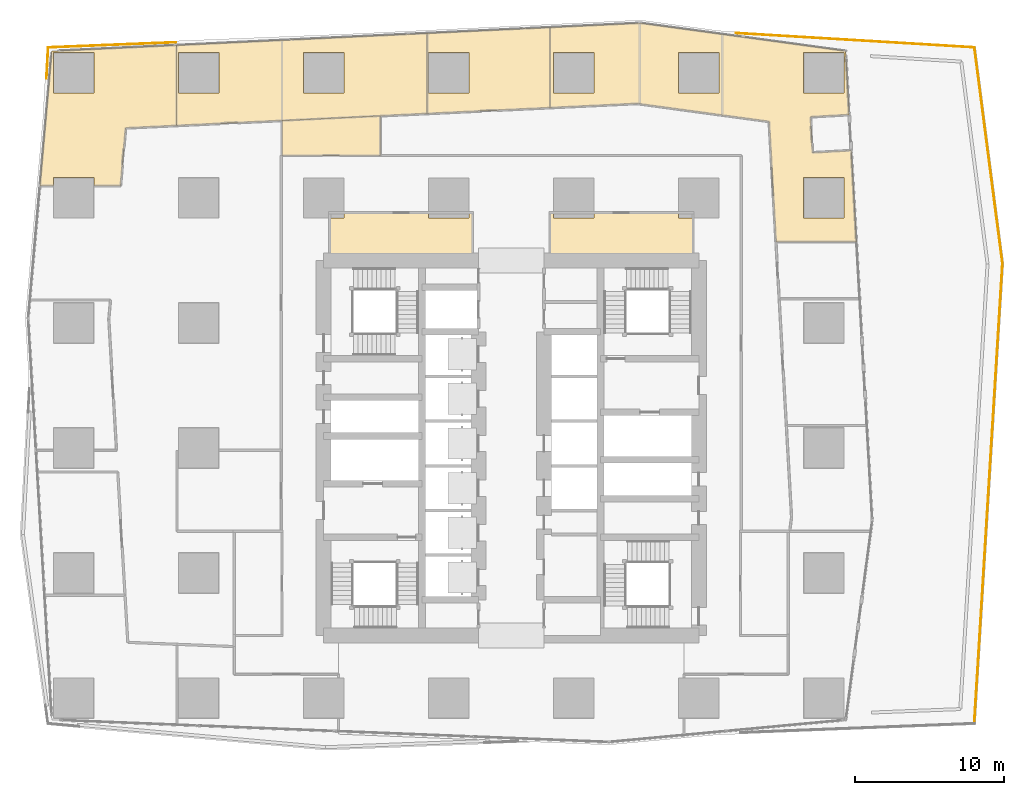
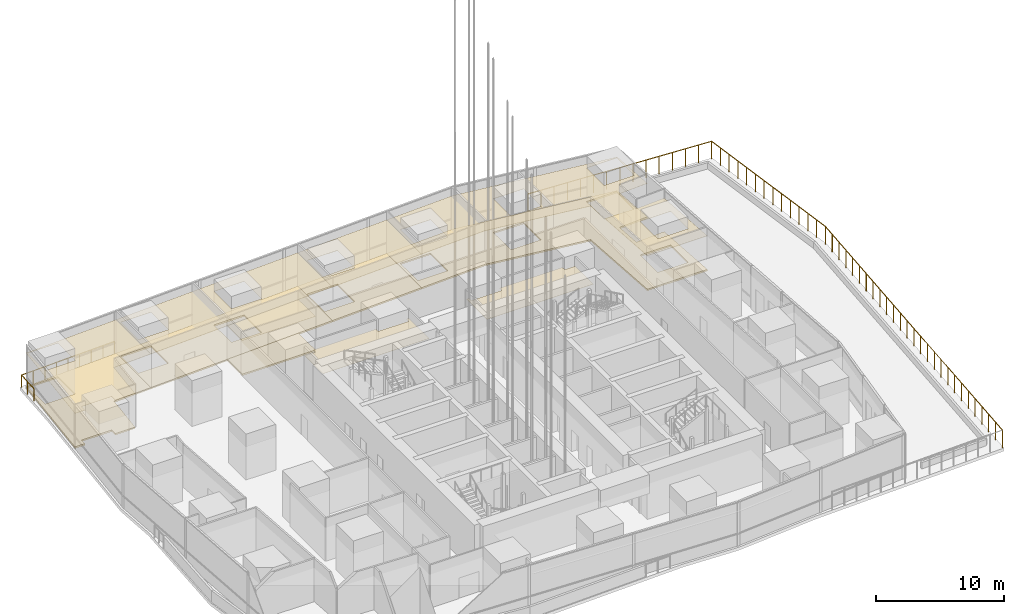
# One storey, part 26 of 39: 12 coverings, 5 railings.
"""IFC4 building model written with IfcOpenShell, lengths in metres."""

from ifc_helpers import new_model, si_unit, direction, frame, origin, origin_2d, place, context, subcontext, project, spatial, polyline, circle, outline, extrude, material, layer, layer_set, type_object, element, save


model = new_model("IFC4")

# Units and contexts
model_context = context("Model", 3, precision=1e-05, world=origin(), true_north=direction((0.0, 1.0)))
body_context = subcontext(model_context, "Body", "Model", "MODEL_VIEW")
ifc_project = project(units=[si_unit("LENGTHUNIT", "METRE"), si_unit("AREAUNIT", "SQUARE_METRE"), si_unit("VOLUMEUNIT", "CUBIC_METRE"), si_unit("PLANEANGLEUNIT", "RADIAN"), si_unit("MASSUNIT", "GRAM", prefix="KILO")], contexts=[model_context])

# Site, building, storey
site_placement = place(None, origin())
site = spatial("IfcSite", under=ifc_project, at=site_placement, CompositionType="ELEMENT")
building_placement = place(site_placement, origin())
building = spatial("IfcBuilding", under=site, at=building_placement, Name="Rekha Terrace Tower", CompositionType="ELEMENT")
storey_placement = place(building_placement, frame((0.0, 0.0, 168.199951171875)))
storey = spatial("IfcBuildingStorey", under=building, at=storey_placement, Name="L42", CompositionType="ELEMENT", Elevation=168.199951171875)

# Coverings
ifc_material_1 = material(Name="Mineral fibre tile in exposed grid", Category="finish")
ifc_layer_1 = layer(ifc_material_1, 0.02001953125)
ifc_layer_set_1 = layer_set([ifc_layer_1], Name="Mineral fibre tile in exposed grid")
covering_type_1 = type_object("IfcCoveringType", Name="CL1 600x1200 office grid ceiling", PredefinedType="CEILING", material=ifc_layer_set_1)
covering_1_placement = place(storey_placement, frame((0.0, 0.0, 3.330078125)))
element("IfcCovering", 1, at=covering_1_placement, inside=storey, type_object=covering_type_1, Name="Ceiling L42-08", PredefinedType="CEILING", context=body_context, shape_type="SweptSolid", body=[
    extrude(outline(polyline([(46.43505859375, 62.14697265625), (40.40087890625, 61.85791015625), (40.40087890625, 56.451904296875), (46.43505859375, 56.740966796875), (46.43505859375, 56.705078125), (51.97705078125, 55.950927734375), (55.12109375, 55.52294921875), (55.5791015625, 47.451904296875), (60.988037109375, 47.451904296875), (60.638916015625, 53.589111328125), (58.04296875, 53.44091796875), (57.906982421875, 55.8369140625), (60.5029296875, 55.985107421875), (60.260009765625, 60.27392578125), (60.215087890625, 60.280029296875), (51.97412109375, 61.40087890625), (46.43505859375, 62.155029296875), (46.43505859375, 62.14697265625)]), holes=[polyline([(60.1650390625, 51.764892578125), (60.1650390625, 49.034912109375), (57.43505859375, 49.034912109375), (57.43505859375, 51.764892578125), (60.1650390625, 51.764892578125)]), polyline([(60.1650390625, 57.43505859375), (57.43505859375, 57.43505859375), (57.43505859375, 60.1650390625), (60.1650390625, 60.1650390625), (60.1650390625, 57.43505859375)]), polyline([(51.764892578125, 57.43505859375), (49.034912109375, 57.43505859375), (49.034912109375, 60.1650390625), (51.764892578125, 60.1650390625), (51.764892578125, 57.43505859375)]), polyline([(43.364990234375, 60.1650390625), (43.364990234375, 57.43505859375), (40.635009765625, 57.43505859375), (40.635009765625, 60.1650390625), (43.364990234375, 60.1650390625)])]), origin(), (0.0, 0.0, 1.0), 0.02001953125),
])
covering_2_placement = place(storey_placement, frame((0.0, 0.0, 3.330078125)))
element("IfcCovering", 2, at=covering_2_placement, inside=storey, type_object=covering_type_1, Name="Ceiling L42-09", PredefinedType="CEILING", context=body_context, shape_type="SweptSolid", body=[
    extrude(outline(polyline([(40.39990234375, 56.451904296875), (40.39990234375, 61.85791015625), (32.15087890625, 61.464111328125), (32.15087890625, 56.05810546875), (40.39990234375, 56.451904296875)]), holes=[polyline([(34.965087890625, 57.43505859375), (32.235107421875, 57.43505859375), (32.235107421875, 60.1650390625), (34.965087890625, 60.1650390625), (34.965087890625, 57.43505859375)])]), origin(), (0.0, 0.0, 1.0), 0.02001953125),
])
covering_3_placement = place(storey_placement, frame((0.0, 0.0, 3.330078125)))
element("IfcCovering", 3, at=covering_3_placement, inside=storey, type_object=covering_type_1, Name="Ceiling L42-10", PredefinedType="CEILING", context=body_context, shape_type="SweptSolid", body=[
    extrude(outline(polyline([(32.14990234375, 61.464111328125), (22.39990234375, 60.998046875), (15.31689453125, 60.659912109375), (15.31689453125, 55.2529296875), (22.403076171875, 55.592041015625), (32.14990234375, 56.05810546875), (32.14990234375, 61.464111328125)]), holes=[polyline([(26.56494140625, 57.43505859375), (23.8349609375, 57.43505859375), (23.8349609375, 60.1650390625), (26.56494140625, 60.1650390625), (26.56494140625, 57.43505859375)]), polyline([(18.1650390625, 60.1650390625), (18.1650390625, 57.43505859375), (15.43505859375, 57.43505859375), (15.43505859375, 60.1650390625), (18.1650390625, 60.1650390625)])]), origin(), (0.0, 0.0, 1.0), 0.02001953125),
])
covering_4_placement = place(storey_placement, frame((0.0, 0.0, 3.330078125)))
element("IfcCovering", 4, at=covering_4_placement, inside=storey, type_object=covering_type_1, Name="Ceiling L42-11", PredefinedType="CEILING", context=body_context, shape_type="SweptSolid", body=[
    extrude(outline(polyline([(9.764892578125, 51.764892578125), (9.764892578125, 51.2080078125), (11.555908203125, 51.2080078125), (11.89892578125, 55.090087890625), (15.31591796875, 55.2529296875), (15.31591796875, 60.659912109375), (6.93408203125, 60.259033203125), (6.135009765625, 51.2080078125), (7.034912109375, 51.2080078125), (7.034912109375, 51.764892578125), (9.764892578125, 51.764892578125)]), holes=[polyline([(9.764892578125, 57.43505859375), (7.034912109375, 57.43505859375), (7.034912109375, 60.1650390625), (9.764892578125, 60.1650390625), (9.764892578125, 57.43505859375)])]), origin(), (0.0, 0.0, 1.0), 0.02001953125),
])
covering_5_placement = place(storey_placement, frame((0.0, 0.0, 3.330078125)))
element("IfcCovering", 5, at=covering_5_placement, inside=storey, type_object=covering_type_1, Name="Ceiling L42-13", PredefinedType="CEILING", context=body_context, shape_type="SweptSolid", body=[
    extrude(outline(polyline([(22.402099609375, 55.592041015625), (22.402099609375, 53.25), (29.001953125, 53.25), (29.001953125, 55.907958984375), (22.402099609375, 55.592041015625)])), origin(), (0.0, 0.0, 1.0), 0.02001953125),
])
ifc_material_2 = material(Name="Fibre cement board", Category="finish")
ifc_layer_2 = layer(ifc_material_2, 0.014892578125)
ifc_layer_set_2 = layer_set([ifc_layer_2], Name="Fibre cement board")
covering_type_2 = type_object("IfcCoveringType", Name="CL2 moisture-resistant board ceiling", PredefinedType="CEILING", material=ifc_layer_set_2)
covering_6_placement = place(storey_placement, frame((0.0, 0.0, 3.3349609375)))
element("IfcCovering", 6, at=covering_6_placement, inside=storey, type_object=covering_type_2, Name="Ceiling L42-WCF", PredefinedType="CEILING", context=body_context, shape_type="SweptSolid", body=[
    extrude(outline(polyline([(40.635009765625, 49.39990234375), (40.39990234375, 49.39990234375), (40.39990234375, 46.199951171875), (50.0, 46.199951171875), (50.0, 49.034912109375), (49.034912109375, 49.034912109375), (49.034912109375, 49.39990234375), (43.364990234375, 49.39990234375), (43.364990234375, 49.034912109375), (40.635009765625, 49.034912109375), (40.635009765625, 49.39990234375)])), origin(), (0.0, 0.0, 1.0), 0.01513671875),
])
covering_7_placement = place(storey_placement, frame((0.0, 0.0, 3.3349609375)))
element("IfcCovering", 7, at=covering_7_placement, inside=storey, type_object=covering_type_2, Name="Ceiling L42-WCF2", PredefinedType="CEILING", context=body_context, shape_type="SweptSolid", body=[
    extrude(outline(polyline([(26.56494140625, 49.034912109375), (25.60009765625, 49.034912109375), (25.60009765625, 46.199951171875), (35.199951171875, 46.199951171875), (35.199951171875, 49.39990234375), (34.965087890625, 49.39990234375), (34.965087890625, 49.034912109375), (32.235107421875, 49.034912109375), (32.235107421875, 49.39990234375), (26.56494140625, 49.39990234375), (26.56494140625, 49.034912109375)])), origin(), (0.0, 0.0, 1.0), 0.01513671875),
])

# Railings
ifc_material_3 = material(Name="Steel guard with vertical balusters", Category="steel")
railing_type_1 = type_object("IfcRailingType", Name="GR2 refuge area guard 1200", PredefinedType="GUARDRAIL", material=ifc_material_3)
railing_1_placement = place(storey_placement, frame((15.259521484375, 60.846923828125, 0.0)))
element("IfcRailing", 8, at=railing_1_placement, inside=storey, type_object=railing_type_1, Name="Ledge corner guard", PredefinedType="GUARDRAIL", context=body_context, shape_type="SweptSolid", body=[
    extrude(circle(Radius=0.02392578125, at=origin_2d()), frame((0.0, 0.0, 1.17578125), z_axis=(-0.999197816184, -0.040046524602, 0.0), x_axis=(0.040046524602, -0.999197816184, 0.0)), (0.0, 0.0, 1.0), 8.571533203125),
    extrude(circle(Radius=0.02099609375, at=origin_2d()), origin(), (0.0, 0.0, 1.0), 1.15185546875),
    extrude(circle(Radius=0.02099609375, at=origin_2d()), frame((-1.070556640625, -0.04296875, 0.0)), (0.0, 0.0, 1.0), 1.15185546875),
    extrude(circle(Radius=0.02099609375, at=origin_2d()), frame((-2.14111328125, -0.0859375, 0.0)), (0.0, 0.0, 1.0), 1.15185546875),
    extrude(circle(Radius=0.02099609375, at=origin_2d()), frame((-3.211669921875, -0.128662109375, 0.0)), (0.0, 0.0, 1.0), 1.15185546875),
    extrude(circle(Radius=0.02099609375, at=origin_2d()), frame((-4.2822265625, -0.171630859375, 0.0)), (0.0, 0.0, 1.0), 1.15185546875),
    extrude(circle(Radius=0.02099609375, at=origin_2d()), frame((-5.35302734375, -0.214599609375, 0.0)), (0.0, 0.0, 1.0), 1.15185546875),
    extrude(circle(Radius=0.02099609375, at=origin_2d()), frame((-6.423583984375, -0.25732421875, 0.0)), (0.0, 0.0, 1.0), 1.15185546875),
    extrude(circle(Radius=0.02099609375, at=origin_2d()), frame((-7.494140625, -0.30029296875, 0.0)), (0.0, 0.0, 1.0), 1.15185546875),
    extrude(circle(Radius=0.02099609375, at=origin_2d()), frame((-8.564697265625, -0.34326171875, 0.0)), (0.0, 0.0, 1.0), 1.15185546875),
])
railing_2_placement = place(storey_placement, frame((6.69482421875, 60.503662109375, 0.0)))
element("IfcRailing", 9, at=railing_2_placement, inside=storey, type_object=railing_type_1, Name="Ledge corner guard", PredefinedType="GUARDRAIL", context=body_context, shape_type="SweptSolid", body=[
    extrude(circle(Radius=0.02392578125, at=origin_2d()), frame((0.0, 0.0, 1.17578125), z_axis=(-0.054745925743, -0.998500317283, 0.0), x_axis=(0.998500317283, -0.054745925743, 0.0)), (0.0, 0.0, 1.0), 2.091552734375),
    extrude(circle(Radius=0.02099609375, at=origin_2d()), origin(), (0.0, 0.0, 1.0), 1.15185546875),
    extrude(circle(Radius=0.02099609375, at=origin_2d()), frame((-0.05712890625, -1.044189453125, 0.0)), (0.0, 0.0, 1.0), 1.15185546875),
    extrude(circle(Radius=0.02099609375, at=origin_2d()), frame((-0.114501953125, -2.08837890625, 0.0)), (0.0, 0.0, 1.0), 1.15185546875),
])
ifc_material_4 = material(Name="Stainless steel posts and laminated glass infill", Category="steel")
railing_type_2 = type_object("IfcRailingType", Name="GR4 terrace glass guard 1700", PredefinedType="GUARDRAIL", material=ifc_material_4)
railing_3_placement = place(storey_placement, frame((68.90576171875, 15.096435546875, 0.0)))
element("IfcRailing", 10, at=railing_3_placement, inside=storey, type_object=railing_type_2, Name="Terrace guard", PredefinedType="GUARDRAIL", context=body_context, shape_type="SweptSolid", body=[
    extrude(circle(Radius=0.02392578125, at=origin_2d()), frame((0.0, 0.0, 1.67578125), z_axis=(0.061157030908, 0.998128156887, 0.0), x_axis=(-0.998128156887, 0.061157030908, 0.0)), (0.0, 0.0, 1.0), 30.966064453125),
    extrude(circle(Radius=0.02099609375, at=origin_2d()), origin(), (0.0, 0.0, 1.0), 1.65185546875),
    extrude(circle(Radius=0.02099609375, at=origin_2d()), frame((0.07275390625, 1.188720703125, 0.0)), (0.0, 0.0, 1.0), 1.65185546875),
    extrude(circle(Radius=0.02099609375, at=origin_2d()), frame((0.145751953125, 2.37744140625, 0.0)), (0.0, 0.0, 1.0), 1.65185546875),
    extrude(circle(Radius=0.02099609375, at=origin_2d()), frame((0.218505859375, 3.56640625, 0.0)), (0.0, 0.0, 1.0), 1.65185546875),
    extrude(circle(Radius=0.02099609375, at=origin_2d()), frame((0.291259765625, 4.755126953125, 0.0)), (0.0, 0.0, 1.0), 1.65185546875),
    extrude(circle(Radius=0.02099609375, at=origin_2d()), frame((0.3642578125, 5.94384765625, 0.0)), (0.0, 0.0, 1.0), 1.65185546875),
    extrude(circle(Radius=0.02099609375, at=origin_2d()), frame((0.43701171875, 7.132568359375, 0.0)), (0.0, 0.0, 1.0), 1.65185546875),
    extrude(circle(Radius=0.02099609375, at=origin_2d()), frame((0.509765625, 8.321533203125, 0.0)), (0.0, 0.0, 1.0), 1.65185546875),
    extrude(circle(Radius=0.02099609375, at=origin_2d()), frame((0.582763671875, 9.51025390625, 0.0)), (0.0, 0.0, 1.0), 1.65185546875),
    extrude(circle(Radius=0.02099609375, at=origin_2d()), frame((0.655517578125, 10.698974609375, 0.0)), (0.0, 0.0, 1.0), 1.65185546875),
    extrude(circle(Radius=0.02099609375, at=origin_2d()), frame((0.728271484375, 11.8876953125, 0.0)), (0.0, 0.0, 1.0), 1.65185546875),
    extrude(circle(Radius=0.02099609375, at=origin_2d()), frame((0.80126953125, 13.07666015625, 0.0)), (0.0, 0.0, 1.0), 1.65185546875),
    extrude(circle(Radius=0.02099609375, at=origin_2d()), frame((0.8740234375, 14.265380859375, 0.0)), (0.0, 0.0, 1.0), 1.65185546875),
    extrude(circle(Radius=0.02099609375, at=origin_2d()), frame((0.94677734375, 15.4541015625, 0.0)), (0.0, 0.0, 1.0), 1.65185546875),
    extrude(circle(Radius=0.02099609375, at=origin_2d()), frame((1.019775390625, 16.642822265625, 0.0)), (0.0, 0.0, 1.0), 1.65185546875),
    extrude(circle(Radius=0.02099609375, at=origin_2d()), frame((1.092529296875, 17.83154296875, 0.0)), (0.0, 0.0, 1.0), 1.65185546875),
    extrude(circle(Radius=0.02099609375, at=origin_2d()), frame((1.16552734375, 19.0205078125, 0.0)), (0.0, 0.0, 1.0), 1.65185546875),
    extrude(circle(Radius=0.02099609375, at=origin_2d()), frame((1.23828125, 20.209228515625, 0.0)), (0.0, 0.0, 1.0), 1.65185546875),
    extrude(circle(Radius=0.02099609375, at=origin_2d()), frame((1.31103515625, 21.39794921875, 0.0)), (0.0, 0.0, 1.0), 1.65185546875),
    extrude(circle(Radius=0.02099609375, at=origin_2d()), frame((1.384033203125, 22.586669921875, 0.0)), (0.0, 0.0, 1.0), 1.65185546875),
    extrude(circle(Radius=0.02099609375, at=origin_2d()), frame((1.456787109375, 23.775634765625, 0.0)), (0.0, 0.0, 1.0), 1.65185546875),
    extrude(circle(Radius=0.02099609375, at=origin_2d()), frame((1.529541015625, 24.96435546875, 0.0)), (0.0, 0.0, 1.0), 1.65185546875),
    extrude(circle(Radius=0.02099609375, at=origin_2d()), frame((1.6025390625, 26.153076171875, 0.0)), (0.0, 0.0, 1.0), 1.65185546875),
    extrude(circle(Radius=0.02099609375, at=origin_2d()), frame((1.67529296875, 27.341796875, 0.0)), (0.0, 0.0, 1.0), 1.65185546875),
    extrude(circle(Radius=0.02099609375, at=origin_2d()), frame((1.748046875, 28.53076171875, 0.0)), (0.0, 0.0, 1.0), 1.65185546875),
    extrude(circle(Radius=0.02099609375, at=origin_2d()), frame((1.821044921875, 29.719482421875, 0.0)), (0.0, 0.0, 1.0), 1.65185546875),
    extrude(circle(Radius=0.02099609375, at=origin_2d()), frame((1.893798828125, 30.908203125, 0.0)), (0.0, 0.0, 1.0), 1.65185546875),
])
railing_4_placement = place(storey_placement, frame((70.799560546875, 46.004638671875, 0.0)))
element("IfcRailing", 11, at=railing_4_placement, inside=storey, type_object=railing_type_2, Name="Terrace guard", PredefinedType="GUARDRAIL", context=body_context, shape_type="SweptSolid", body=[
    extrude(circle(Radius=0.02392578125, at=origin_2d()), frame((0.0, 0.0, 1.67578125), z_axis=(-0.129108635754, 0.991630455449, 0.0), x_axis=(-0.991630455449, -0.129108635754, 0.0)), (0.0, 0.0, 1.0), 14.622802734375),
    extrude(circle(Radius=0.02099609375, at=origin_2d()), origin(), (0.0, 0.0, 1.0), 1.65185546875),
    extrude(circle(Radius=0.02099609375, at=origin_2d()), frame((-0.145263671875, 1.115478515625, 0.0)), (0.0, 0.0, 1.0), 1.65185546875),
    extrude(circle(Radius=0.02099609375, at=origin_2d()), frame((-0.29052734375, 2.23095703125, 0.0)), (0.0, 0.0, 1.0), 1.65185546875),
    extrude(circle(Radius=0.02099609375, at=origin_2d()), frame((-0.435791015625, 3.34619140625, 0.0)), (0.0, 0.0, 1.0), 1.65185546875),
    extrude(circle(Radius=0.02099609375, at=origin_2d()), frame((-0.580810546875, 4.461669921875, 0.0)), (0.0, 0.0, 1.0), 1.65185546875),
    extrude(circle(Radius=0.02099609375, at=origin_2d()), frame((-0.72607421875, 5.5771484375, 0.0)), (0.0, 0.0, 1.0), 1.65185546875),
    extrude(circle(Radius=0.02099609375, at=origin_2d()), frame((-0.871337890625, 6.692626953125, 0.0)), (0.0, 0.0, 1.0), 1.65185546875),
    extrude(circle(Radius=0.02099609375, at=origin_2d()), frame((-1.0166015625, 7.807861328125, 0.0)), (0.0, 0.0, 1.0), 1.65185546875),
    extrude(circle(Radius=0.02099609375, at=origin_2d()), frame((-1.161865234375, 8.92333984375, 0.0)), (0.0, 0.0, 1.0), 1.65185546875),
    extrude(circle(Radius=0.02099609375, at=origin_2d()), frame((-1.30712890625, 10.038818359375, 0.0)), (0.0, 0.0, 1.0), 1.65185546875),
    extrude(circle(Radius=0.02099609375, at=origin_2d()), frame((-1.4521484375, 11.154296875, 0.0)), (0.0, 0.0, 1.0), 1.65185546875),
    extrude(circle(Radius=0.02099609375, at=origin_2d()), frame((-1.597412109375, 12.26953125, 0.0)), (0.0, 0.0, 1.0), 1.65185546875),
    extrude(circle(Radius=0.02099609375, at=origin_2d()), frame((-1.74267578125, 13.385009765625, 0.0)), (0.0, 0.0, 1.0), 1.65185546875),
    extrude(circle(Radius=0.02099609375, at=origin_2d()), frame((-1.887939453125, 14.50048828125, 0.0)), (0.0, 0.0, 1.0), 1.65185546875),
])
railing_5_placement = place(storey_placement, frame((68.91162109375, 60.505126953125, 0.0)))
element("IfcRailing", 12, at=railing_5_placement, inside=storey, type_object=railing_type_2, Name="Terrace guard", PredefinedType="GUARDRAIL", context=body_context, shape_type="SweptSolid", body=[
    extrude(circle(Radius=0.02392578125, at=origin_2d()), frame((0.0, 0.0, 1.67578125), z_axis=(-0.998199472925, 0.059981765995, 0.0), x_axis=(-0.059981765995, -0.998199472925, 0.0)), (0.0, 0.0, 1.0), 16.040771484375),
    extrude(circle(Radius=0.02099609375, at=origin_2d()), origin(), (0.0, 0.0, 1.0), 1.65185546875),
    extrude(circle(Radius=0.02099609375, at=origin_2d()), frame((-1.143798828125, 0.06884765625, 0.0)), (0.0, 0.0, 1.0), 1.65185546875),
    extrude(circle(Radius=0.02099609375, at=origin_2d()), frame((-2.287353515625, 0.137451171875, 0.0)), (0.0, 0.0, 1.0), 1.65185546875),
    extrude(circle(Radius=0.02099609375, at=origin_2d()), frame((-3.43115234375, 0.2060546875, 0.0)), (0.0, 0.0, 1.0), 1.65185546875),
    extrude(circle(Radius=0.02099609375, at=origin_2d()), frame((-4.574951171875, 0.27490234375, 0.0)), (0.0, 0.0, 1.0), 1.65185546875),
    extrude(circle(Radius=0.02099609375, at=origin_2d()), frame((-5.718505859375, 0.34375, 0.0)), (0.0, 0.0, 1.0), 1.65185546875),
    extrude(circle(Radius=0.02099609375, at=origin_2d()), frame((-6.8623046875, 0.412353515625, 0.0)), (0.0, 0.0, 1.0), 1.65185546875),
    extrude(circle(Radius=0.02099609375, at=origin_2d()), frame((-8.005859375, 0.48095703125, 0.0)), (0.0, 0.0, 1.0), 1.65185546875),
    extrude(circle(Radius=0.02099609375, at=origin_2d()), frame((-9.149658203125, 0.5498046875, 0.0)), (0.0, 0.0, 1.0), 1.65185546875),
    extrude(circle(Radius=0.02099609375, at=origin_2d()), frame((-10.29345703125, 0.61865234375, 0.0)), (0.0, 0.0, 1.0), 1.65185546875),
    extrude(circle(Radius=0.02099609375, at=origin_2d()), frame((-11.43701171875, 0.687255859375, 0.0)), (0.0, 0.0, 1.0), 1.65185546875),
    extrude(circle(Radius=0.02099609375, at=origin_2d()), frame((-12.580810546875, 0.755859375, 0.0)), (0.0, 0.0, 1.0), 1.65185546875),
    extrude(circle(Radius=0.02099609375, at=origin_2d()), frame((-13.724609375, 0.82470703125, 0.0)), (0.0, 0.0, 1.0), 1.65185546875),
    extrude(circle(Radius=0.02099609375, at=origin_2d()), frame((-14.8681640625, 0.8935546875, 0.0)), (0.0, 0.0, 1.0), 1.65185546875),
    extrude(circle(Radius=0.02099609375, at=origin_2d()), frame((-16.011962890625, 0.962158203125, 0.0)), (0.0, 0.0, 1.0), 1.65185546875),
])

# Coverings
ifc_material_5 = material(Name="Calcium sulphate panels on steel pedestals", Category="steel")
ifc_layer_3 = layer(ifc_material_5, 0.14990234375)
ifc_layer_set_3 = layer_set([ifc_layer_3], Name="Calcium sulphate panels on steel pedestals")
covering_type_3 = type_object("IfcCoveringType", Name="RF1 150 raised access floor", PredefinedType="FLOORING", material=ifc_layer_set_3)
covering_8_placement = place(storey_placement, origin())
element("IfcCovering", 13, at=covering_8_placement, inside=storey, type_object=covering_type_3, Name="Raised floor L42-08", PredefinedType="FLOORING", context=body_context, shape_type="SweptSolid", body=[
    extrude(outline(polyline([(46.43505859375, 62.14697265625), (40.40087890625, 61.85791015625), (40.40087890625, 56.451904296875), (46.43505859375, 56.740966796875), (46.43505859375, 56.705078125), (51.97705078125, 55.950927734375), (55.12109375, 55.52294921875), (55.5791015625, 47.451904296875), (60.988037109375, 47.451904296875), (60.638916015625, 53.589111328125), (58.04296875, 53.44091796875), (57.906982421875, 55.8369140625), (60.5029296875, 55.985107421875), (60.260009765625, 60.27392578125), (60.215087890625, 60.280029296875), (51.97412109375, 61.40087890625), (46.43505859375, 62.155029296875), (46.43505859375, 62.14697265625)]), holes=[polyline([(60.1650390625, 51.764892578125), (60.1650390625, 49.034912109375), (57.43505859375, 49.034912109375), (57.43505859375, 51.764892578125), (60.1650390625, 51.764892578125)]), polyline([(60.1650390625, 57.43505859375), (57.43505859375, 57.43505859375), (57.43505859375, 60.1650390625), (60.1650390625, 60.1650390625), (60.1650390625, 57.43505859375)]), polyline([(51.764892578125, 57.43505859375), (49.034912109375, 57.43505859375), (49.034912109375, 60.1650390625), (51.764892578125, 60.1650390625), (51.764892578125, 57.43505859375)]), polyline([(43.364990234375, 60.1650390625), (43.364990234375, 57.43505859375), (40.635009765625, 57.43505859375), (40.635009765625, 60.1650390625), (43.364990234375, 60.1650390625)])]), origin(), (0.0, 0.0, 1.0), 0.150146484375),
])
covering_9_placement = place(storey_placement, origin())
element("IfcCovering", 14, at=covering_9_placement, inside=storey, type_object=covering_type_3, Name="Raised floor L42-09", PredefinedType="FLOORING", context=body_context, shape_type="SweptSolid", body=[
    extrude(outline(polyline([(40.39990234375, 56.451904296875), (40.39990234375, 61.85791015625), (32.15087890625, 61.464111328125), (32.15087890625, 56.05810546875), (40.39990234375, 56.451904296875)]), holes=[polyline([(34.965087890625, 57.43505859375), (32.235107421875, 57.43505859375), (32.235107421875, 60.1650390625), (34.965087890625, 60.1650390625), (34.965087890625, 57.43505859375)])]), origin(), (0.0, 0.0, 1.0), 0.150146484375),
])
covering_10_placement = place(storey_placement, origin())
element("IfcCovering", 15, at=covering_10_placement, inside=storey, type_object=covering_type_3, Name="Raised floor L42-10", PredefinedType="FLOORING", context=body_context, shape_type="SweptSolid", body=[
    extrude(outline(polyline([(32.14990234375, 61.464111328125), (22.39990234375, 60.998046875), (15.31689453125, 60.659912109375), (15.31689453125, 55.2529296875), (22.403076171875, 55.592041015625), (32.14990234375, 56.05810546875), (32.14990234375, 61.464111328125)]), holes=[polyline([(26.56494140625, 57.43505859375), (23.8349609375, 57.43505859375), (23.8349609375, 60.1650390625), (26.56494140625, 60.1650390625), (26.56494140625, 57.43505859375)]), polyline([(18.1650390625, 60.1650390625), (18.1650390625, 57.43505859375), (15.43505859375, 57.43505859375), (15.43505859375, 60.1650390625), (18.1650390625, 60.1650390625)])]), origin(), (0.0, 0.0, 1.0), 0.150146484375),
])
covering_11_placement = place(storey_placement, origin())
element("IfcCovering", 16, at=covering_11_placement, inside=storey, type_object=covering_type_3, Name="Raised floor L42-11", PredefinedType="FLOORING", context=body_context, shape_type="SweptSolid", body=[
    extrude(outline(polyline([(9.764892578125, 51.764892578125), (9.764892578125, 51.2080078125), (11.555908203125, 51.2080078125), (11.89892578125, 55.090087890625), (15.31591796875, 55.2529296875), (15.31591796875, 60.659912109375), (6.93408203125, 60.259033203125), (6.135009765625, 51.2080078125), (7.034912109375, 51.2080078125), (7.034912109375, 51.764892578125), (9.764892578125, 51.764892578125)]), holes=[polyline([(9.764892578125, 57.43505859375), (7.034912109375, 57.43505859375), (7.034912109375, 60.1650390625), (9.764892578125, 60.1650390625), (9.764892578125, 57.43505859375)])]), origin(), (0.0, 0.0, 1.0), 0.150146484375),
])
covering_12_placement = place(storey_placement, origin())
element("IfcCovering", 17, at=covering_12_placement, inside=storey, type_object=covering_type_3, Name="Raised floor L42-13", PredefinedType="FLOORING", context=body_context, shape_type="SweptSolid", body=[
    extrude(outline(polyline([(22.402099609375, 55.592041015625), (22.402099609375, 53.25), (29.001953125, 53.25), (29.001953125, 55.907958984375), (22.402099609375, 55.592041015625)])), origin(), (0.0, 0.0, 1.0), 0.150146484375),
])

save(model, "model.ifc")
